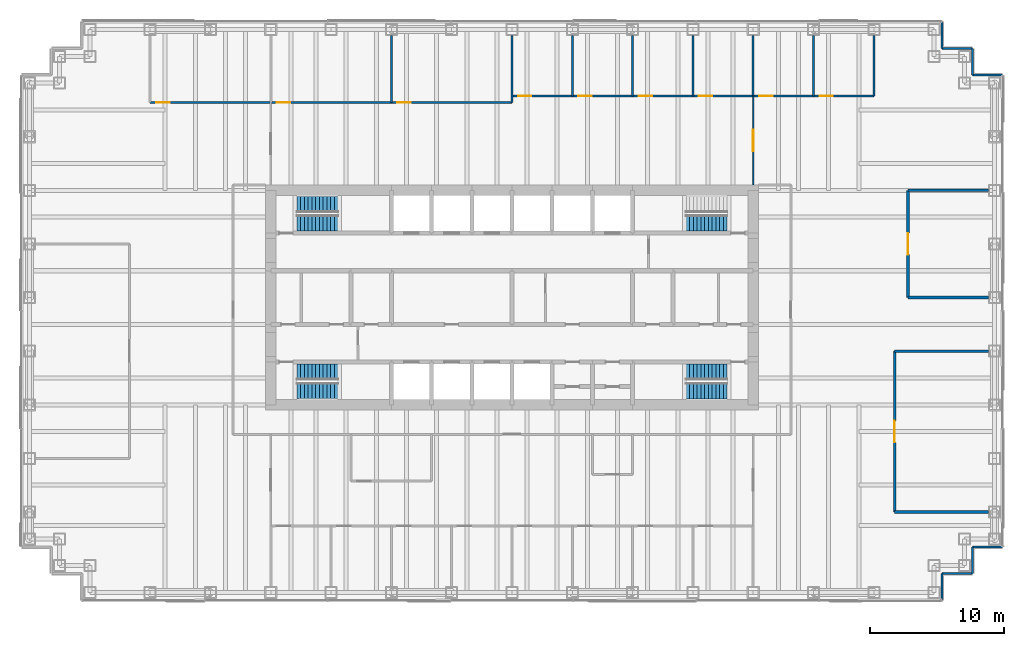
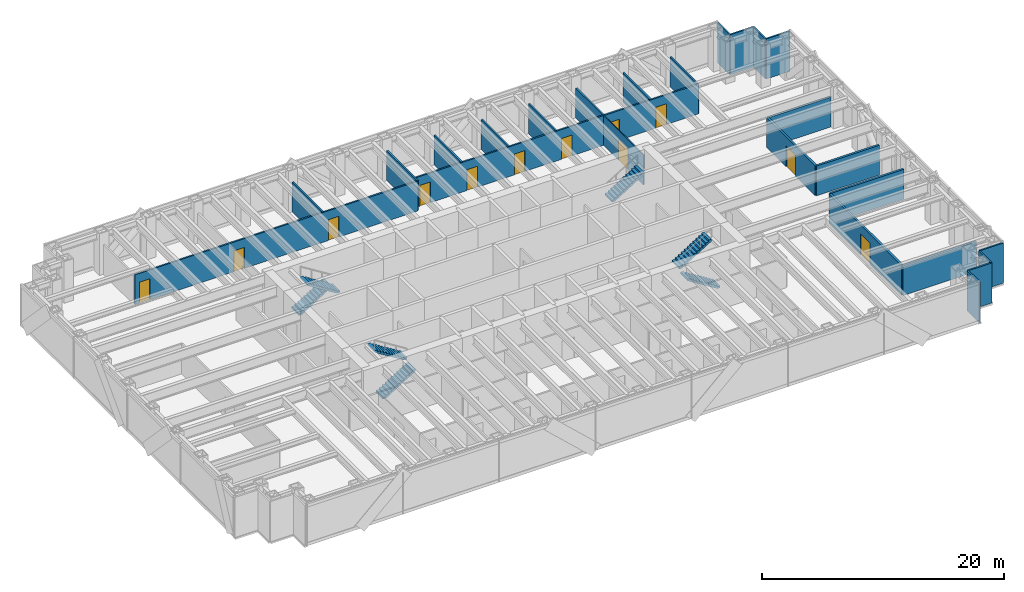
# One storey, part 14 of 16: 25 walls, 12 doors, 7 stair flights, 12 openings, 4 elements without a shape of their own.
"""IFC4 building model written with IfcOpenShell, lengths in metres."""

from ifc_helpers import new_model, si_unit, direction, frame, frame_2d, origin, place, context, subcontext, project, spatial, polyline, rectangle, outline, extrude, material, layer, layer_set, type_object, element, fill, aggregate, save


model = new_model("IFC4")

# Units and contexts
model_context = context("Model", 3, precision=1e-05, world=origin(), true_north=direction((0.0, 1.0)))
body_context = subcontext(model_context, "Body", "Model", "MODEL_VIEW")
ifc_project = project(units=[si_unit("LENGTHUNIT", "METRE"), si_unit("AREAUNIT", "SQUARE_METRE"), si_unit("VOLUMEUNIT", "CUBIC_METRE"), si_unit("PLANEANGLEUNIT", "RADIAN"), si_unit("MASSUNIT", "GRAM", prefix="KILO")], contexts=[model_context])

# Site, building, storey
site_placement = place(None, origin())
site = spatial("IfcSite", under=ifc_project, at=site_placement, CompositionType="ELEMENT")
building_placement = place(site_placement, origin())
building = spatial("IfcBuilding", under=site, at=building_placement, Name="Rheinbord Bourse Tower", CompositionType="ELEMENT")
storey_placement = place(building_placement, frame((0.0, 0.0, 219.39990234375)))
storey = spatial("IfcBuildingStorey", under=building, at=storey_placement, Name="L49", CompositionType="ELEMENT", Elevation=219.39990234375)

# Walls
ifc_material_1 = material(Name="Acoustic gypsum board partition", Category="gypsum board")
ifc_layer_1 = layer(ifc_material_1, 0.199951171875)
ifc_layer_set_1 = layer_set([ifc_layer_1], Name="ACOUSTIC PARTITION 200")
wall_type_1 = type_object("IfcWallType", Name="ACOUSTIC PARTITION 200", PredefinedType="PARTITIONING", material=ifc_layer_set_1)
for number, where, z_axis, x_axis, name in (
    (1, (64.550048828125, 8.0, 0.0), (0.0, 0.0, 1.0), (1.0, 0.0, 0.0), "Partition L49-02"),
    (2, (64.550048828125, 20.0, 0.0), (0.0, 0.0, 1.0), (1.0, 0.0, 0.0), "Partition L49-09"),
):
    element("IfcWall", number, at=place(storey_placement, frame(where, z_axis=z_axis, x_axis=x_axis)), inside=storey, type_object=wall_type_1, Name=name, PredefinedType="PARTITIONING", context=body_context, shape_type="SweptSolid", body=[
        extrude(rectangle(XDim=7.0, YDim=0.199951171875, at=frame_2d((3.5, 0.0))), origin(), (0.0, 0.0, 1.0), 3.0),
    ])
for number, where, z_axis, x_axis, name in (
    (3, (65.550048828125, 24.0, 0.0), (0.0, 0.0, 1.0), (1.0, 0.0, 0.0), "Partition L49-10"),
    (4, (65.550048828125, 32.0, 0.0), (0.0, 0.0, 1.0), (1.0, 0.0, 0.0), "Partition L49-12"),
):
    element("IfcWall", number, at=place(storey_placement, frame(where, z_axis=z_axis, x_axis=x_axis)), inside=storey, type_object=wall_type_1, Name=name, PredefinedType="PARTITIONING", context=body_context, shape_type="SweptSolid", body=[
        extrude(rectangle(XDim=6.0, YDim=0.199951171875, at=frame_2d((3.0, 0.0))), origin(), (0.0, 0.0, 1.0), 3.0),
    ])

# Wall, opening, door
wall_1_placement = place(storey_placement, frame((64.550048828125, 8.0, 0.0), z_axis=(0.0, 0.0, 1.0), x_axis=(0.0, 1.0, 0.0)))
wall_1 = element("IfcWall", 5, at=wall_1_placement, inside=storey, type_object=wall_type_1, Name="Partition L49-47", PredefinedType="PARTITIONING", context=body_context, shape_type="SweptSolid", body=[
    extrude(rectangle(XDim=12.0, YDim=0.199951171875, at=frame_2d((6.0, 0.0))), origin(), (0.0, 0.0, 1.0), 3.0),
])
opening_1_placement = place(wall_1_placement, frame((5.199951171875, 0.0, 0.0)))
opening_1 = element("IfcOpeningElement", 6, at=opening_1_placement, cuts=wall_1, Name="Opening 49D11", PredefinedType="OPENING", context=body_context, shape_type="SweptSolid", body=[
    extrude(rectangle(XDim=1.60009765625, YDim=2.10009765625, at=frame_2d((0.800048828125, 1.050048828125))), frame((0.0, 0.10986328125, 0.0), z_axis=(0.0, -1.0, 0.0), x_axis=(1.0, 0.0, 0.0)), (0.0, 0.0, 1.0), 0.219970703125),
])
ifc_material_2 = material(Name="Timber door", Category="wood")
door_type_1 = type_object("IfcDoorType", Name="DOUBLE ROOM DOOR 1600", OperationType="DOUBLE_DOOR_DOUBLE_SWING", PredefinedType="DOOR", material=ifc_material_2)
door_1_placement = place(opening_1_placement, origin())
door_1 = element("IfcDoor", 7, at=door_1_placement, inside=storey, type_object=door_type_1, Name="Conference room door L49", OperationType="SINGLE_SWING_LEFT", OverallHeight=2.10009765625, OverallWidth=1.60009765625, PredefinedType="DOOR", context=body_context, shape_type="SweptSolid", body=[
    extrude(rectangle(XDim=1.60009765625, YDim=2.10009765625, at=frame_2d((0.800048828125, 1.050048828125))), frame((0.0, 0.02490234375, 0.0), z_axis=(0.0, -1.0, 0.0), x_axis=(1.0, 0.0, 0.0)), (0.0, 0.0, 1.0), 0.050048828125),
])
fill(opening_1, door_1)

wall_2_placement = place(storey_placement, frame((65.550048828125, 24.0, 0.0), z_axis=(0.0, 0.0, 1.0), x_axis=(0.0, 1.0, 0.0)))
wall_2 = element("IfcWall", 8, at=wall_2_placement, inside=storey, type_object=wall_type_1, Name="Partition L49-48", PredefinedType="PARTITIONING", context=body_context, shape_type="SweptSolid", body=[
    extrude(rectangle(XDim=8.0, YDim=0.199951171875, at=frame_2d((4.0, 0.0))), origin(), (0.0, 0.0, 1.0), 3.0),
])
opening_2_placement = place(wall_2_placement, frame((3.199951171875, 0.0, 0.0)))
opening_2 = element("IfcOpeningElement", 9, at=opening_2_placement, cuts=wall_2, Name="Opening 49D13", PredefinedType="OPENING", context=body_context, shape_type="SweptSolid", body=[
    extrude(rectangle(XDim=1.60009765625, YDim=2.10009765625, at=frame_2d((0.800048828125, 1.050048828125))), frame((0.0, 0.10986328125, 0.0), z_axis=(0.0, -1.0, 0.0), x_axis=(1.0, 0.0, 0.0)), (0.0, 0.0, 1.0), 0.219970703125),
])
door_2_placement = place(opening_2_placement, origin())
door_2 = element("IfcDoor", 10, at=door_2_placement, inside=storey, type_object=door_type_1, Name="Conference room door L49", OperationType="SINGLE_SWING_LEFT", OverallHeight=2.10009765625, OverallWidth=1.60009765625, PredefinedType="DOOR", context=body_context, shape_type="SweptSolid", body=[
    extrude(rectangle(XDim=1.60009765625, YDim=2.10009765625, at=frame_2d((0.800048828125, 1.050048828125))), frame((0.0, 0.02490234375, 0.0), z_axis=(0.0, -1.0, 0.0), x_axis=(1.0, 0.0, 0.0)), (0.0, 0.0, 1.0), 0.050048828125),
])
fill(opening_2, door_2)

# Walls
ifc_material_3 = material(Name="Black metal rainscreen panel", Category="aluminium")
ifc_layer_2 = layer(ifc_material_3, 0.14990234375)
ifc_layer_set_2 = layer_set([ifc_layer_2], Name="CORNER PIER CLADDING 150")
wall_type_2 = type_object("IfcWallType", Name="CORNER PIER CLADDING 150", PredefinedType="ELEMENTEDWALL", material=ifc_layer_set_2)
wall_3_placement = place(storey_placement, frame((68.10009765625, 1.39990234375, 0.0), z_axis=(0.0, 0.0, 1.0), x_axis=(0.0, 1.0, 0.0)))
element("IfcWall", 11, at=wall_3_placement, inside=storey, type_object=wall_type_2, Name="Corner pier cladding L49 2", PredefinedType="ELEMENTEDWALL", context=body_context, shape_type="SweptSolid", body=[
    extrude(rectangle(XDim=2.0, YDim=0.14990234375, at=frame_2d((1.0, 0.0))), origin(), (0.0, 0.0, 1.0), 4.0400390625),
])
wall_4_placement = place(storey_placement, frame((68.10009765625, 3.39990234375, 0.0), z_axis=(0.0, 0.0, 1.0), x_axis=(1.0, 0.0, 0.0)))
element("IfcWall", 12, at=wall_4_placement, inside=storey, type_object=wall_type_2, Name="Corner pier cladding L49 3", PredefinedType="ELEMENTEDWALL", context=body_context, shape_type="SweptSolid", body=[
    extrude(rectangle(XDim=2.25, YDim=0.14990234375, at=frame_2d((1.125, 0.0))), origin(), (0.0, 0.0, 1.0), 4.0400390625),
])
wall_5_placement = place(storey_placement, frame((70.35009765625, 3.39990234375, 0.0), z_axis=(0.0, 0.0, 1.0), x_axis=(0.0, 1.0, 0.0)))
element("IfcWall", 13, at=wall_5_placement, inside=storey, type_object=wall_type_2, Name="Corner pier cladding L49 4", PredefinedType="ELEMENTEDWALL", context=body_context, shape_type="SweptSolid", body=[
    extrude(rectangle(XDim=2.0, YDim=0.14990234375, at=frame_2d((1.0, 0.0))), origin(), (0.0, 0.0, 1.0), 4.0400390625),
])
for number, where, z_axis, x_axis, name in (
    (14, (70.35009765625, 5.39990234375, 0.0), (0.0, 0.0, 1.0), (1.0, 0.0, 0.0), "Corner pier cladding L49 5"),
    (15, (72.60009765625, 40.60009765625, 0.0), (0.0, 0.0, 1.0), (-1.0, 0.0, 0.0), "Corner pier cladding L49 7"),
):
    element("IfcWall", number, at=place(storey_placement, frame(where, z_axis=z_axis, x_axis=x_axis)), inside=storey, type_object=wall_type_2, Name=name, PredefinedType="ELEMENTEDWALL", context=body_context, shape_type="SweptSolid", body=[
        extrude(rectangle(XDim=2.25, YDim=0.14990234375, at=frame_2d((1.125, 0.0))), origin(), (0.0, 0.0, 1.0), 4.0400390625),
    ])
wall_6_placement = place(storey_placement, frame((70.35009765625, 40.60009765625, 0.0), z_axis=(0.0, 0.0, 1.0), x_axis=(0.0, 1.0, 0.0)))
element("IfcWall", 16, at=wall_6_placement, inside=storey, type_object=wall_type_2, Name="Corner pier cladding L49 8", PredefinedType="ELEMENTEDWALL", context=body_context, shape_type="SweptSolid", body=[
    extrude(rectangle(XDim=2.0, YDim=0.14990234375, at=frame_2d((1.0, 0.0))), origin(), (0.0, 0.0, 1.0), 4.0400390625),
])
wall_7_placement = place(storey_placement, frame((70.35009765625, 42.60009765625, 0.0), z_axis=(0.0, 0.0, 1.0), x_axis=(-1.0, 0.0, 0.0)))
element("IfcWall", 17, at=wall_7_placement, inside=storey, type_object=wall_type_2, Name="Corner pier cladding L49 9", PredefinedType="ELEMENTEDWALL", context=body_context, shape_type="SweptSolid", body=[
    extrude(rectangle(XDim=2.25, YDim=0.14990234375, at=frame_2d((1.125, 0.0))), origin(), (0.0, 0.0, 1.0), 4.0400390625),
])
wall_8_placement = place(storey_placement, frame((68.10009765625, 42.60009765625, 0.0), z_axis=(0.0, 0.0, 1.0), x_axis=(0.0, 1.0, 0.0)))
element("IfcWall", 18, at=wall_8_placement, inside=storey, type_object=wall_type_2, Name="Corner pier cladding L49 10", PredefinedType="ELEMENTEDWALL", context=body_context, shape_type="SweptSolid", body=[
    extrude(rectangle(XDim=2.0, YDim=0.14990234375, at=frame_2d((1.0, 0.0))), origin(), (0.0, 0.0, 1.0), 4.0400390625),
])

# Wall, opening, door
ifc_material_4 = material(Name="Toughened laminated glass partition", Category="glass")
ifc_layer_3 = layer(ifc_material_4, 0.10009765625)
ifc_layer_set_3 = layer_set([ifc_layer_3], Name="GLAZED PARTITION 100")
wall_type_3 = type_object("IfcWallType", Name="GLAZED PARTITION 100", PredefinedType="PARTITIONING", material=ifc_layer_set_3)
wall_9_placement = place(storey_placement, frame((54.0, 32.39990234375, 0.0), z_axis=(0.0, 0.0, 1.0), x_axis=(0.0, 1.0, 0.0)))
wall_9 = element("IfcWall", 19, at=wall_9_placement, inside=storey, type_object=wall_type_3, Name="Partition L49-42", PredefinedType="PARTITIONING", context=body_context, shape_type="SweptSolid", body=[
    extrude(rectangle(XDim=6.650146484375, YDim=0.10009765625, at=frame_2d((3.3251953125, 0.0))), origin(), (0.0, 0.0, 1.0), 3.0),
])
opening_3_placement = place(wall_9_placement, frame((2.52490234375, 0.0, 0.0)))
opening_3 = element("IfcOpeningElement", 20, at=opening_3_placement, cuts=wall_9, Name="Opening 49D26", PredefinedType="OPENING", context=body_context, shape_type="SweptSolid", body=[
    extrude(rectangle(XDim=1.60009765625, YDim=2.10009765625, at=frame_2d((0.800048828125, 1.050048828125))), frame((0.0, 0.06005859375, 0.0), z_axis=(0.0, -1.0, 0.0), x_axis=(1.0, 0.0, 0.0)), (0.0, 0.0, 1.0), 0.1201171875),
])
door_3_placement = place(opening_3_placement, origin())
door_3 = element("IfcDoor", 21, at=door_3_placement, inside=storey, type_object=door_type_1, Name="Open area door L49", OperationType="SINGLE_SWING_LEFT", OverallHeight=2.10009765625, OverallWidth=1.60009765625, PredefinedType="DOOR", context=body_context, shape_type="SweptSolid", body=[
    extrude(rectangle(XDim=1.60009765625, YDim=2.10009765625, at=frame_2d((0.800048828125, 1.050048828125))), frame((0.0, 0.02490234375, 0.0), z_axis=(0.0, -1.0, 0.0), x_axis=(1.0, 0.0, 0.0)), (0.0, 0.0, 1.0), 0.050048828125),
])
fill(opening_3, door_3)

# Wall, openings, doors
ifc_material_5 = material(Name="Gypsum board partition", Category="gypsum board")
ifc_layer_4 = layer(ifc_material_5, 0.14990234375)
ifc_layer_set_4 = layer_set([ifc_layer_4], Name="PARTITION 150")
wall_type_4 = type_object("IfcWallType", Name="PARTITION 150", PredefinedType="PARTITIONING", material=ifc_layer_set_4)
wall_10_placement = place(storey_placement, frame((9.0, 38.550048828125, 0.0), z_axis=(0.0, 0.0, 1.0), x_axis=(1.0, 0.0, 0.0)))
wall_10 = element("IfcWall", 22, at=wall_10_placement, inside=storey, type_object=wall_type_4, Name="Partition L49-15", PredefinedType="PARTITIONING", context=body_context, shape_type="SweptSolid", body=[
    extrude(rectangle(XDim=27.0, YDim=0.14990234375, at=frame_2d((13.5, 0.0))), origin(), (0.0, 0.0, 1.0), 3.0),
])
opening_4_placement = place(wall_10_placement, frame((0.449951171875, 0.0, 0.0)))
opening_4 = element("IfcOpeningElement", 23, at=opening_4_placement, cuts=wall_10, Name="Opening 49D14", PredefinedType="OPENING", context=body_context, shape_type="SweptSolid", body=[
    extrude(rectangle(XDim=1.0, YDim=2.10009765625, at=frame_2d((0.5, 1.050048828125))), frame((0.0, 0.0849609375, 0.0), z_axis=(0.0, -1.0, 0.0), x_axis=(1.0, 0.0, 0.0)), (0.0, 0.0, 1.0), 0.169921875),
])
opening_5_placement = place(wall_10_placement, frame((9.449951171875, 0.0, 0.0)))
opening_5 = element("IfcOpeningElement", 24, at=opening_5_placement, cuts=wall_10, Name="Opening 49D15", PredefinedType="OPENING", context=body_context, shape_type="SweptSolid", body=[
    extrude(rectangle(XDim=1.0, YDim=2.10009765625, at=frame_2d((0.5, 1.050048828125))), frame((0.0, 0.0849609375, 0.0), z_axis=(0.0, -1.0, 0.0), x_axis=(1.0, 0.0, 0.0)), (0.0, 0.0, 1.0), 0.169921875),
])
opening_6_placement = place(wall_10_placement, frame((18.449951171875, 0.0, 0.0)))
opening_6 = element("IfcOpeningElement", 25, at=opening_6_placement, cuts=wall_10, Name="Opening 49D16", PredefinedType="OPENING", context=body_context, shape_type="SweptSolid", body=[
    extrude(rectangle(XDim=1.0, YDim=2.10009765625, at=frame_2d((0.5, 1.050048828125))), frame((0.0, 0.0849609375, 0.0), z_axis=(0.0, -1.0, 0.0), x_axis=(1.0, 0.0, 0.0)), (0.0, 0.0, 1.0), 0.169921875),
])
ifc_material_6 = material(Name="Timber door", Category="wood")
door_type_2 = type_object("IfcDoorType", Name="ROOM DOOR 1000", OperationType="SINGLE_SWING_LEFT", PredefinedType="DOOR", material=ifc_material_6)
door_4_placement = place(opening_4_placement, origin())
door_4 = element("IfcDoor", 26, at=door_4_placement, inside=storey, type_object=door_type_2, Name="Partner office door L49", OperationType="SINGLE_SWING_LEFT", OverallHeight=2.10009765625, OverallWidth=1.0, PredefinedType="DOOR", context=body_context, shape_type="SweptSolid", body=[
    extrude(rectangle(XDim=1.0, YDim=2.10009765625, at=frame_2d((0.5, 1.050048828125))), frame((0.0, 0.02490234375, 0.0), z_axis=(0.0, -1.0, 0.0), x_axis=(1.0, 0.0, 0.0)), (0.0, 0.0, 1.0), 0.050048828125),
])
fill(opening_4, door_4)
door_5_placement = place(opening_5_placement, origin())
door_5 = element("IfcDoor", 27, at=door_5_placement, inside=storey, type_object=door_type_2, Name="Partner office door L49", OperationType="SINGLE_SWING_LEFT", OverallHeight=2.10009765625, OverallWidth=1.0, PredefinedType="DOOR", context=body_context, shape_type="SweptSolid", body=[
    extrude(rectangle(XDim=1.0, YDim=2.10009765625, at=frame_2d((0.5, 1.050048828125))), frame((0.0, 0.02490234375, 0.0), z_axis=(0.0, -1.0, 0.0), x_axis=(1.0, 0.0, 0.0)), (0.0, 0.0, 1.0), 0.050048828125),
])
fill(opening_5, door_5)
door_6_placement = place(opening_6_placement, origin())
door_6 = element("IfcDoor", 28, at=door_6_placement, inside=storey, type_object=door_type_2, Name="Partner office door L49", OperationType="SINGLE_SWING_RIGHT", OverallHeight=2.10009765625, OverallWidth=1.0, PredefinedType="DOOR", context=body_context, shape_type="SweptSolid", body=[
    extrude(rectangle(XDim=1.0, YDim=2.10009765625, at=frame_2d((0.5, 1.050048828125))), frame((0.0, 0.02490234375, 0.0), z_axis=(0.0, -1.0, 0.0), x_axis=(1.0, 0.0, 0.0)), (0.0, 0.0, 1.0), 0.050048828125),
])
fill(opening_6, door_6)

wall_11_placement = place(storey_placement, frame((36.0, 39.050048828125, 0.0), z_axis=(0.0, 0.0, 1.0), x_axis=(1.0, 0.0, 0.0)))
wall_11 = element("IfcWall", 29, at=wall_11_placement, inside=storey, type_object=wall_type_4, Name="Partition L49-16", PredefinedType="PARTITIONING", context=body_context, shape_type="SweptSolid", body=[
    extrude(rectangle(XDim=27.0, YDim=0.14990234375, at=frame_2d((13.5, 0.0))), origin(), (0.0, 0.0, 1.0), 3.0),
])
opening_7_placement = place(wall_11_placement, frame((0.449951171875, 0.0, 0.0)))
opening_7 = element("IfcOpeningElement", 30, at=opening_7_placement, cuts=wall_11, Name="Opening 49D17", PredefinedType="OPENING", context=body_context, shape_type="SweptSolid", body=[
    extrude(rectangle(XDim=1.0, YDim=2.10009765625, at=frame_2d((0.5, 1.050048828125))), frame((0.0, 0.0849609375, 0.0), z_axis=(0.0, -1.0, 0.0), x_axis=(1.0, 0.0, 0.0)), (0.0, 0.0, 1.0), 0.169921875),
])
opening_8_placement = place(wall_11_placement, frame((4.949951171875, 0.0, 0.0)))
opening_8 = element("IfcOpeningElement", 31, at=opening_8_placement, cuts=wall_11, Name="Opening 49D18", PredefinedType="OPENING", context=body_context, shape_type="SweptSolid", body=[
    extrude(rectangle(XDim=1.0, YDim=2.10009765625, at=frame_2d((0.5, 1.050048828125))), frame((0.0, 0.0849609375, 0.0), z_axis=(0.0, -1.0, 0.0), x_axis=(1.0, 0.0, 0.0)), (0.0, 0.0, 1.0), 0.169921875),
])
opening_9_placement = place(wall_11_placement, frame((9.449951171875, 0.0, 0.0)))
opening_9 = element("IfcOpeningElement", 32, at=opening_9_placement, cuts=wall_11, Name="Opening 49D19", PredefinedType="OPENING", context=body_context, shape_type="SweptSolid", body=[
    extrude(rectangle(XDim=1.0, YDim=2.10009765625, at=frame_2d((0.5, 1.050048828125))), frame((0.0, 0.0849609375, 0.0), z_axis=(0.0, -1.0, 0.0), x_axis=(1.0, 0.0, 0.0)), (0.0, 0.0, 1.0), 0.169921875),
])
opening_10_placement = place(wall_11_placement, frame((13.949951171875, 0.0, 0.0)))
opening_10 = element("IfcOpeningElement", 33, at=opening_10_placement, cuts=wall_11, Name="Opening 49D20", PredefinedType="OPENING", context=body_context, shape_type="SweptSolid", body=[
    extrude(rectangle(XDim=1.0, YDim=2.10009765625, at=frame_2d((0.5, 1.050048828125))), frame((0.0, 0.0849609375, 0.0), z_axis=(0.0, -1.0, 0.0), x_axis=(1.0, 0.0, 0.0)), (0.0, 0.0, 1.0), 0.169921875),
])
opening_11_placement = place(wall_11_placement, frame((18.449951171875, 0.0, 0.0)))
opening_11 = element("IfcOpeningElement", 34, at=opening_11_placement, cuts=wall_11, Name="Opening 49D21", PredefinedType="OPENING", context=body_context, shape_type="SweptSolid", body=[
    extrude(rectangle(XDim=1.0, YDim=2.10009765625, at=frame_2d((0.5, 1.050048828125))), frame((0.0, 0.0849609375, 0.0), z_axis=(0.0, -1.0, 0.0), x_axis=(1.0, 0.0, 0.0)), (0.0, 0.0, 1.0), 0.169921875),
])
opening_12_placement = place(wall_11_placement, frame((22.949951171875, 0.0, 0.0)))
opening_12 = element("IfcOpeningElement", 35, at=opening_12_placement, cuts=wall_11, Name="Opening 49D22", PredefinedType="OPENING", context=body_context, shape_type="SweptSolid", body=[
    extrude(rectangle(XDim=1.0, YDim=2.10009765625, at=frame_2d((0.5, 1.050048828125))), frame((0.0, 0.0849609375, 0.0), z_axis=(0.0, -1.0, 0.0), x_axis=(1.0, 0.0, 0.0)), (0.0, 0.0, 1.0), 0.169921875),
])
door_7_placement = place(opening_7_placement, origin())
door_7 = element("IfcDoor", 36, at=door_7_placement, inside=storey, type_object=door_type_2, Name="Office door L49", OperationType="SINGLE_SWING_LEFT", OverallHeight=2.10009765625, OverallWidth=1.0, PredefinedType="DOOR", context=body_context, shape_type="SweptSolid", body=[
    extrude(rectangle(XDim=1.0, YDim=2.10009765625, at=frame_2d((0.5, 1.050048828125))), frame((0.0, 0.02490234375, 0.0), z_axis=(0.0, -1.0, 0.0), x_axis=(1.0, 0.0, 0.0)), (0.0, 0.0, 1.0), 0.050048828125),
])
fill(opening_7, door_7)
door_8_placement = place(opening_8_placement, origin())
door_8 = element("IfcDoor", 37, at=door_8_placement, inside=storey, type_object=door_type_2, Name="Office door L49", OperationType="SINGLE_SWING_LEFT", OverallHeight=2.10009765625, OverallWidth=1.0, PredefinedType="DOOR", context=body_context, shape_type="SweptSolid", body=[
    extrude(rectangle(XDim=1.0, YDim=2.10009765625, at=frame_2d((0.5, 1.050048828125))), frame((0.0, 0.02490234375, 0.0), z_axis=(0.0, -1.0, 0.0), x_axis=(1.0, 0.0, 0.0)), (0.0, 0.0, 1.0), 0.050048828125),
])
fill(opening_8, door_8)
door_9_placement = place(opening_9_placement, origin())
door_9 = element("IfcDoor", 38, at=door_9_placement, inside=storey, type_object=door_type_2, Name="Office door L49", OperationType="SINGLE_SWING_LEFT", OverallHeight=2.10009765625, OverallWidth=1.0, PredefinedType="DOOR", context=body_context, shape_type="SweptSolid", body=[
    extrude(rectangle(XDim=1.0, YDim=2.10009765625, at=frame_2d((0.5, 1.050048828125))), frame((0.0, 0.02490234375, 0.0), z_axis=(0.0, -1.0, 0.0), x_axis=(1.0, 0.0, 0.0)), (0.0, 0.0, 1.0), 0.050048828125),
])
fill(opening_9, door_9)
door_10_placement = place(opening_10_placement, origin())
door_10 = element("IfcDoor", 39, at=door_10_placement, inside=storey, type_object=door_type_2, Name="Office door L49", OperationType="SINGLE_SWING_RIGHT", OverallHeight=2.10009765625, OverallWidth=1.0, PredefinedType="DOOR", context=body_context, shape_type="SweptSolid", body=[
    extrude(rectangle(XDim=1.0, YDim=2.10009765625, at=frame_2d((0.5, 1.050048828125))), frame((0.0, 0.02490234375, 0.0), z_axis=(0.0, -1.0, 0.0), x_axis=(1.0, 0.0, 0.0)), (0.0, 0.0, 1.0), 0.050048828125),
])
fill(opening_10, door_10)
door_11_placement = place(opening_11_placement, origin())
door_11 = element("IfcDoor", 40, at=door_11_placement, inside=storey, type_object=door_type_2, Name="Office door L49", OperationType="SINGLE_SWING_RIGHT", OverallHeight=2.10009765625, OverallWidth=1.0, PredefinedType="DOOR", context=body_context, shape_type="SweptSolid", body=[
    extrude(rectangle(XDim=1.0, YDim=2.10009765625, at=frame_2d((0.5, 1.050048828125))), frame((0.0, 0.02490234375, 0.0), z_axis=(0.0, -1.0, 0.0), x_axis=(1.0, 0.0, 0.0)), (0.0, 0.0, 1.0), 0.050048828125),
])
fill(opening_11, door_11)
door_12_placement = place(opening_12_placement, origin())
door_12 = element("IfcDoor", 41, at=door_12_placement, inside=storey, type_object=door_type_2, Name="Office door L49", OperationType="SINGLE_SWING_RIGHT", OverallHeight=2.10009765625, OverallWidth=1.0, PredefinedType="DOOR", context=body_context, shape_type="SweptSolid", body=[
    extrude(rectangle(XDim=1.0, YDim=2.10009765625, at=frame_2d((0.5, 1.050048828125))), frame((0.0, 0.02490234375, 0.0), z_axis=(0.0, -1.0, 0.0), x_axis=(1.0, 0.0, 0.0)), (0.0, 0.0, 1.0), 0.050048828125),
])
fill(opening_12, door_12)

# Walls
for number, where, z_axis, x_axis, name in (
    (42, (27.0, 38.550048828125, 0.0), (0.0, 0.0, 1.0), (0.0, 1.0, 0.0), "Partition L49-27"),
    (43, (36.0, 38.550048828125, 0.0), (0.0, 0.0, 1.0), (0.0, 1.0, 0.0), "Partition L49-31"),
):
    element("IfcWall", number, at=place(storey_placement, frame(where, z_axis=z_axis, x_axis=x_axis)), inside=storey, type_object=wall_type_4, Name=name, PredefinedType="PARTITIONING", context=body_context, shape_type="SweptSolid", body=[
        extrude(rectangle(XDim=5.0, YDim=0.14990234375, at=frame_2d((2.5, 0.0))), origin(), (0.0, 0.0, 1.0), 3.0),
    ])
for number, where, z_axis, x_axis, name in (
    (44, (40.5, 39.050048828125, 0.0), (0.0, 0.0, 1.0), (0.0, 1.0, 0.0), "Partition L49-33"),
    (45, (45.0, 39.050048828125, 0.0), (0.0, 0.0, 1.0), (0.0, 1.0, 0.0), "Partition L49-37"),
    (46, (49.5, 39.050048828125, 0.0), (0.0, 0.0, 1.0), (0.0, 1.0, 0.0), "Partition L49-39"),
    (47, (54.0, 39.050048828125, 0.0), (0.0, 0.0, 1.0), (0.0, 1.0, 0.0), "Partition L49-43"),
    (48, (58.5, 39.050048828125, 0.0), (0.0, 0.0, 1.0), (0.0, 1.0, 0.0), "Partition L49-45"),
    (49, (63.0, 39.050048828125, 0.0), (0.0, 0.0, 1.0), (0.0, 1.0, 0.0), "Partition L49-46"),
):
    element("IfcWall", number, at=place(storey_placement, frame(where, z_axis=z_axis, x_axis=x_axis)), inside=storey, type_object=wall_type_4, Name=name, PredefinedType="PARTITIONING", context=body_context, shape_type="SweptSolid", body=[
        extrude(rectangle(XDim=4.5, YDim=0.14990234375, at=frame_2d((2.25, 0.0))), origin(), (0.0, 0.0, 1.0), 3.0),
    ])

# Stair, stair flights
ifc_material_7 = material(Name="Concrete C30/37", Category="concrete")
stair_type = type_object("IfcStairType", Name="CORE STAIR HALF TURN 4200", PredefinedType="HALF_TURN_STAIR", material=ifc_material_7)
stair_1_placement = place(storey_placement, origin())
stair_1 = element("IfcStair", 50, at=stair_1_placement, inside=storey, type_object=stair_type, Name="Stair ST1 L49, type CS6", PredefinedType="HALF_TURN_STAIR")
ifc_material_8 = material(Name="Concrete C30/37", Category="concrete")
stair_flight_type = type_object("IfcStairFlightType", Name="CORE STAIR FLIGHT 1200, 12 RISERS", PredefinedType="STRAIGHT", material=ifc_material_8)
stair_flight_1_placement = place(storey_placement, frame((19.949951171875, 17.050048828125, 0.0), z_axis=(0.0, 0.0, 1.0), x_axis=(1.0, 0.0, 0.0)))
stair_flight_1 = element("IfcStairFlight", 51, at=stair_flight_1_placement, type_object=stair_flight_type, Name="STAIR L49 ST1 F1", NumberOfRisers=12, NumberOfTreads=11, PredefinedType="STRAIGHT", RiserHeight=0.175, TreadLength=0.28, context=body_context, shape_type="SweptSolid", body=[
    extrude(outline(polyline([(0.0, 0.0), (0.0, 0.175048828125), (0.280029296875, 0.175048828125), (0.280029296875, 0.35009765625), (0.56005859375, 0.35009765625), (0.56005859375, 0.52490234375), (0.840087890625, 0.52490234375), (0.840087890625, 0.699951171875), (1.1201171875, 0.699951171875), (1.1201171875, 0.875), (1.39990234375, 0.875), (1.39990234375, 1.050048828125), (1.679931640625, 1.050048828125), (1.679931640625, 1.22509765625), (1.9599609375, 1.22509765625), (1.9599609375, 1.39990234375), (2.239990234375, 1.39990234375), (2.239990234375, 1.574951171875), (2.52001953125, 1.574951171875), (2.52001953125, 1.75), (2.800048828125, 1.75), (2.800048828125, 1.925048828125), (3.080078125, 1.925048828125), (3.080078125, 2.10009765625), (3.080078125, 1.748291015625), (0.28271484375, 0.0), (0.0, 0.0)])), frame((0.0, 0.60009765625, 0.0), z_axis=(0.0, -1.0, 0.0), x_axis=(1.0, 0.0, 0.0)), (0.0, 0.0, 1.0), 1.199951171875),
])
stair_flight_2_placement = place(storey_placement, frame((23.030029296875, 18.449951171875, 2.10009765625), z_axis=(0.0, 0.0, 1.0), x_axis=(-1.0, 0.0, 0.0)))
stair_flight_2 = element("IfcStairFlight", 52, at=stair_flight_2_placement, type_object=stair_flight_type, Name="STAIR L49 ST1 F2", NumberOfRisers=12, NumberOfTreads=11, PredefinedType="STRAIGHT", RiserHeight=0.175, TreadLength=0.28, context=body_context, shape_type="SweptSolid", body=[
    extrude(outline(polyline([(0.0, 0.0), (0.0, 0.175048828125), (0.280029296875, 0.175048828125), (0.280029296875, 0.35009765625), (0.56005859375, 0.35009765625), (0.56005859375, 0.52490234375), (0.840087890625, 0.52490234375), (0.840087890625, 0.699951171875), (1.1201171875, 0.699951171875), (1.1201171875, 0.875), (1.39990234375, 0.875), (1.39990234375, 1.050048828125), (1.679931640625, 1.050048828125), (1.679931640625, 1.22509765625), (1.9599609375, 1.22509765625), (1.9599609375, 1.39990234375), (2.239990234375, 1.39990234375), (2.239990234375, 1.574951171875), (2.52001953125, 1.574951171875), (2.52001953125, 1.75), (2.800048828125, 1.75), (2.800048828125, 1.925048828125), (3.080078125, 1.925048828125), (3.080078125, 2.10009765625), (3.080078125, 1.748291015625), (0.28271484375, 0.0), (0.0, 0.0)])), frame((0.0, 0.60009765625, 0.0), z_axis=(0.0, -1.0, 0.0), x_axis=(1.0, 0.0, 0.0)), (0.0, 0.0, 1.0), 1.199951171875),
])
aggregate(stair_1, [stair_flight_1, stair_flight_2])

stair_2_placement = place(storey_placement, origin())
stair_2 = element("IfcStair", 53, at=stair_2_placement, inside=storey, type_object=stair_type, Name="Stair ST2 L49, type CS6", PredefinedType="HALF_TURN_STAIR")
stair_flight_3_placement = place(storey_placement, frame((19.949951171875, 30.949951171875, 0.0), z_axis=(0.0, 0.0, 1.0), x_axis=(1.0, 0.0, 0.0)))
stair_flight_3 = element("IfcStairFlight", 54, at=stair_flight_3_placement, type_object=stair_flight_type, Name="STAIR L49 ST2 F1", NumberOfRisers=12, NumberOfTreads=11, PredefinedType="STRAIGHT", RiserHeight=0.175, TreadLength=0.28, context=body_context, shape_type="SweptSolid", body=[
    extrude(outline(polyline([(0.0, 0.0), (0.0, 0.175048828125), (0.280029296875, 0.175048828125), (0.280029296875, 0.35009765625), (0.56005859375, 0.35009765625), (0.56005859375, 0.52490234375), (0.840087890625, 0.52490234375), (0.840087890625, 0.699951171875), (1.1201171875, 0.699951171875), (1.1201171875, 0.875), (1.39990234375, 0.875), (1.39990234375, 1.050048828125), (1.679931640625, 1.050048828125), (1.679931640625, 1.22509765625), (1.9599609375, 1.22509765625), (1.9599609375, 1.39990234375), (2.239990234375, 1.39990234375), (2.239990234375, 1.574951171875), (2.52001953125, 1.574951171875), (2.52001953125, 1.75), (2.800048828125, 1.75), (2.800048828125, 1.925048828125), (3.080078125, 1.925048828125), (3.080078125, 2.10009765625), (3.080078125, 1.748291015625), (0.28271484375, 0.0), (0.0, 0.0)])), frame((0.0, 0.60009765625, 0.0), z_axis=(0.0, -1.0, 0.0), x_axis=(1.0, 0.0, 0.0)), (0.0, 0.0, 1.0), 1.199951171875),
])
stair_flight_4_placement = place(storey_placement, frame((23.030029296875, 29.550048828125, 2.10009765625), z_axis=(0.0, 0.0, 1.0), x_axis=(-1.0, 0.0, 0.0)))
stair_flight_4 = element("IfcStairFlight", 55, at=stair_flight_4_placement, type_object=stair_flight_type, Name="STAIR L49 ST2 F2", NumberOfRisers=12, NumberOfTreads=11, PredefinedType="STRAIGHT", RiserHeight=0.175, TreadLength=0.28, context=body_context, shape_type="SweptSolid", body=[
    extrude(outline(polyline([(0.0, 0.0), (0.0, 0.175048828125), (0.280029296875, 0.175048828125), (0.280029296875, 0.35009765625), (0.56005859375, 0.35009765625), (0.56005859375, 0.52490234375), (0.840087890625, 0.52490234375), (0.840087890625, 0.699951171875), (1.1201171875, 0.699951171875), (1.1201171875, 0.875), (1.39990234375, 0.875), (1.39990234375, 1.050048828125), (1.679931640625, 1.050048828125), (1.679931640625, 1.22509765625), (1.9599609375, 1.22509765625), (1.9599609375, 1.39990234375), (2.239990234375, 1.39990234375), (2.239990234375, 1.574951171875), (2.52001953125, 1.574951171875), (2.52001953125, 1.75), (2.800048828125, 1.75), (2.800048828125, 1.925048828125), (3.080078125, 1.925048828125), (3.080078125, 2.10009765625), (3.080078125, 1.748291015625), (0.28271484375, 0.0), (0.0, 0.0)])), frame((0.0, 0.60009765625, 0.0), z_axis=(0.0, -1.0, 0.0), x_axis=(1.0, 0.0, 0.0)), (0.0, 0.0, 1.0), 1.199951171875),
])
aggregate(stair_2, [stair_flight_3, stair_flight_4])

stair_3_placement = place(storey_placement, origin())
stair_3 = element("IfcStair", 56, at=stair_3_placement, inside=storey, type_object=stair_type, Name="Stair ST3 L49, type CS6", PredefinedType="HALF_TURN_STAIR")
stair_flight_5_placement = place(storey_placement, frame((52.050048828125, 17.050048828125, 0.0), z_axis=(0.0, 0.0, 1.0), x_axis=(-1.0, 0.0, 0.0)))
stair_flight_5 = element("IfcStairFlight", 57, at=stair_flight_5_placement, type_object=stair_flight_type, Name="STAIR L49 ST3 F1", NumberOfRisers=12, NumberOfTreads=11, PredefinedType="STRAIGHT", RiserHeight=0.175, TreadLength=0.28, context=body_context, shape_type="SweptSolid", body=[
    extrude(outline(polyline([(0.0, 0.0), (0.0, 0.175048828125), (0.280029296875, 0.175048828125), (0.280029296875, 0.35009765625), (0.56005859375, 0.35009765625), (0.56005859375, 0.52490234375), (0.840087890625, 0.52490234375), (0.840087890625, 0.699951171875), (1.1201171875, 0.699951171875), (1.1201171875, 0.875), (1.39990234375, 0.875), (1.39990234375, 1.050048828125), (1.679931640625, 1.050048828125), (1.679931640625, 1.22509765625), (1.9599609375, 1.22509765625), (1.9599609375, 1.39990234375), (2.239990234375, 1.39990234375), (2.239990234375, 1.574951171875), (2.52001953125, 1.574951171875), (2.52001953125, 1.75), (2.800048828125, 1.75), (2.800048828125, 1.925048828125), (3.080078125, 1.925048828125), (3.080078125, 2.10009765625), (3.080078125, 1.748291015625), (0.28271484375, 0.0), (0.0, 0.0)])), frame((0.0, 0.60009765625, 0.0), z_axis=(0.0, -1.0, 0.0), x_axis=(1.0, 0.0, 0.0)), (0.0, 0.0, 1.0), 1.199951171875),
])
stair_flight_6_placement = place(storey_placement, frame((48.969970703125, 18.449951171875, 2.10009765625), z_axis=(0.0, 0.0, 1.0), x_axis=(1.0, 0.0, 0.0)))
stair_flight_6 = element("IfcStairFlight", 58, at=stair_flight_6_placement, type_object=stair_flight_type, Name="STAIR L49 ST3 F2", NumberOfRisers=12, NumberOfTreads=11, PredefinedType="STRAIGHT", RiserHeight=0.175, TreadLength=0.28, context=body_context, shape_type="SweptSolid", body=[
    extrude(outline(polyline([(0.0, 0.0), (0.0, 0.175048828125), (0.280029296875, 0.175048828125), (0.280029296875, 0.35009765625), (0.56005859375, 0.35009765625), (0.56005859375, 0.52490234375), (0.840087890625, 0.52490234375), (0.840087890625, 0.699951171875), (1.1201171875, 0.699951171875), (1.1201171875, 0.875), (1.39990234375, 0.875), (1.39990234375, 1.050048828125), (1.679931640625, 1.050048828125), (1.679931640625, 1.22509765625), (1.9599609375, 1.22509765625), (1.9599609375, 1.39990234375), (2.239990234375, 1.39990234375), (2.239990234375, 1.574951171875), (2.52001953125, 1.574951171875), (2.52001953125, 1.75), (2.800048828125, 1.75), (2.800048828125, 1.925048828125), (3.080078125, 1.925048828125), (3.080078125, 2.10009765625), (3.080078125, 1.748291015625), (0.28271484375, 0.0), (0.0, 0.0)])), frame((0.0, 0.60009765625, 0.0), z_axis=(0.0, -1.0, 0.0), x_axis=(1.0, 0.0, 0.0)), (0.0, 0.0, 1.0), 1.199951171875),
])
aggregate(stair_3, [stair_flight_5, stair_flight_6])

# Stair, stair flight
stair_4_placement = place(storey_placement, origin())
stair_4 = element("IfcStair", 59, at=stair_4_placement, inside=storey, type_object=stair_type, Name="Stair ST4 L49, type CS6", PredefinedType="HALF_TURN_STAIR")
stair_flight_7_placement = place(storey_placement, frame((48.969970703125, 29.550048828125, 2.10009765625), z_axis=(0.0, 0.0, 1.0), x_axis=(1.0, 0.0, 0.0)))
stair_flight_7 = element("IfcStairFlight", 60, at=stair_flight_7_placement, type_object=stair_flight_type, Name="STAIR L49 ST4 F2", NumberOfRisers=12, NumberOfTreads=11, PredefinedType="STRAIGHT", RiserHeight=0.175, TreadLength=0.28, context=body_context, shape_type="SweptSolid", body=[
    extrude(outline(polyline([(0.0, 0.0), (0.0, 0.175048828125), (0.280029296875, 0.175048828125), (0.280029296875, 0.35009765625), (0.56005859375, 0.35009765625), (0.56005859375, 0.52490234375), (0.840087890625, 0.52490234375), (0.840087890625, 0.699951171875), (1.1201171875, 0.699951171875), (1.1201171875, 0.875), (1.39990234375, 0.875), (1.39990234375, 1.050048828125), (1.679931640625, 1.050048828125), (1.679931640625, 1.22509765625), (1.9599609375, 1.22509765625), (1.9599609375, 1.39990234375), (2.239990234375, 1.39990234375), (2.239990234375, 1.574951171875), (2.52001953125, 1.574951171875), (2.52001953125, 1.75), (2.800048828125, 1.75), (2.800048828125, 1.925048828125), (3.080078125, 1.925048828125), (3.080078125, 2.10009765625), (3.080078125, 1.748291015625), (0.28271484375, 0.0), (0.0, 0.0)])), frame((0.0, 0.60009765625, 0.0), z_axis=(0.0, -1.0, 0.0), x_axis=(1.0, 0.0, 0.0)), (0.0, 0.0, 1.0), 1.199951171875),
])
aggregate(stair_4, [stair_flight_7])

save(model, "model.ifc")
